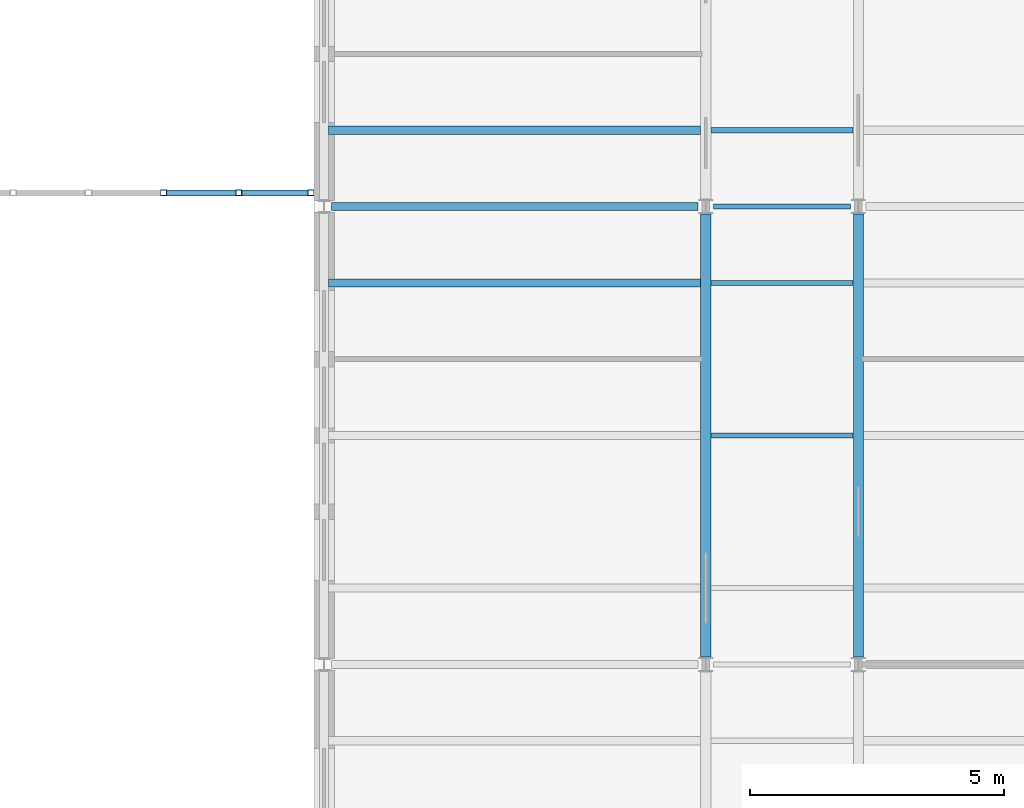
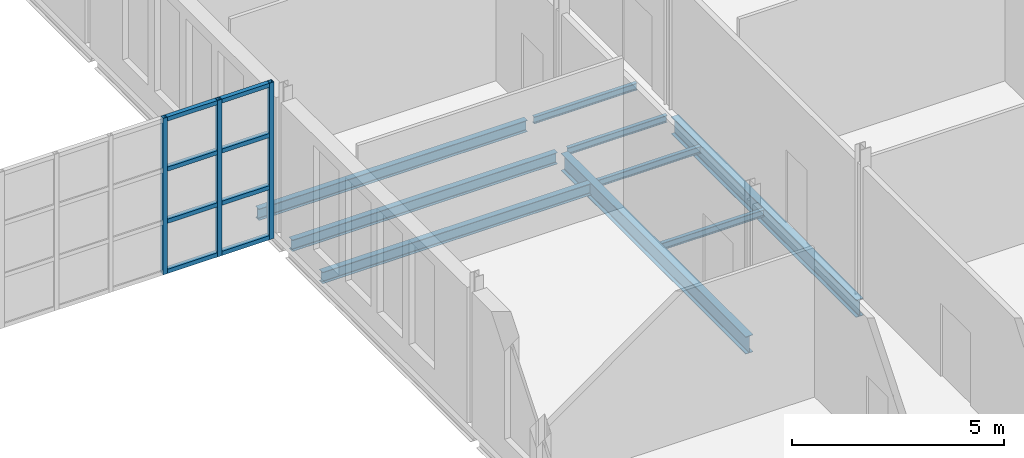
# One storey, part 39 of 131: 11 members, 9 beams, 1 element without a shape of its own.
"""IFC4 building model written with IfcOpenShell, lengths in metres."""

from ifc_helpers import new_model, si_unit, direction, frame, origin, origin_2d, place, context, subcontext, project, spatial, hollow_rectangle, i_section, extrude, material, material_profile, profile_set, type_object, element, aggregate, save


model = new_model("IFC4")

# Units and contexts
model_context = context("Model", 3, precision=1e-05, world=origin(), true_north=direction((0.0, 1.0)))
body_context = subcontext(model_context, "Body", "Model", "MODEL_VIEW")
ifc_project = project(units=[si_unit("LENGTHUNIT", "METRE"), si_unit("AREAUNIT", "SQUARE_METRE"), si_unit("VOLUMEUNIT", "CUBIC_METRE"), si_unit("PLANEANGLEUNIT", "RADIAN"), si_unit("MASSUNIT", "GRAM", prefix="KILO")], contexts=[model_context])

# Site, building, storey
site_placement = place(None, origin())
site = spatial("IfcSite", under=ifc_project, at=site_placement, CompositionType="ELEMENT")
building_placement = place(site_placement, origin())
building = spatial("IfcBuilding", under=site, at=building_placement, Name="Golden Quay Civic Hall", CompositionType="ELEMENT")
storey_placement = place(building_placement, frame((0.0, 0.0, 9.89990234375)))
storey = spatial("IfcBuildingStorey", under=building, at=storey_placement, Name="L02", CompositionType="ELEMENT", Elevation=9.89990234375)

# Curtain wall, members
ifc_material_1 = material(Name="Fire-resisting glass and steel", Category="steel")
curtain_wall_type = type_object("IfcCurtainWallType", Name="Fire-resisting glazed curtain wall EI 120", PredefinedType="NOTDEFINED", material=ifc_material_1)
curtain_wall_placement = place(storey_placement, origin())
curtain_wall = element("IfcCurtainWall", 1, at=curtain_wall_placement, inside=storey, type_object=curtain_wall_type, Name="CW3 curtain wall", PredefinedType="NOTDEFINED")
ifc_material_2 = material(Name="Steel S355", Category="steel")
ifc_material_profile_1 = material_profile(ifc_material_2, hollow_rectangle(XDim=0.1201171875, YDim=0.1201171875, WallThickness=0.008056640625, at=origin_2d()), Name="SHS 120x120x8")
ifc_profile_set_1 = profile_set([ifc_material_profile_1], Name="Steel S355")
member_type_1 = type_object("IfcMemberType", Name="Fire-resisting steel mullion SHS 120x120x8", PredefinedType="MULLION", material=ifc_profile_set_1)
member_1_placement = place(storey_placement, frame((95.844482421875, 36.27001953125, -0.199951171875), z_axis=(0.0, 0.0, 1.0), x_axis=(0.0, 1.0, 0.0)))
member_1 = element("IfcMember", 2, at=member_1_placement, type_object=member_type_1, Name="CW3 mullion 17", PredefinedType="MULLION", context=body_context, shape_type="SweptSolid", body=[
    extrude(hollow_rectangle(XDim=0.1201171875, YDim=0.1201171875, WallThickness=0.008056640625, at=origin_2d()), origin(), (0.0, 0.0, 1.0), 4.5),
])
member_2_placement = place(storey_placement, frame((97.322265625, 36.27001953125, -0.199951171875), z_axis=(0.0, 0.0, 1.0), x_axis=(0.0, 1.0, 0.0)))
member_2 = element("IfcMember", 3, at=member_2_placement, type_object=member_type_1, Name="CW3 mullion 18", PredefinedType="MULLION", context=body_context, shape_type="SweptSolid", body=[
    extrude(hollow_rectangle(XDim=0.1201171875, YDim=0.1201171875, WallThickness=0.008056640625, at=origin_2d()), origin(), (0.0, 0.0, 1.0), 4.5),
])
member_3_placement = place(storey_placement, frame((98.739990234375, 36.27001953125, -0.199951171875), z_axis=(0.0, 0.0, 1.0), x_axis=(0.0, 1.0, 0.0)))
member_3 = element("IfcMember", 4, at=member_3_placement, type_object=member_type_1, Name="CW3 mullion 19", PredefinedType="MULLION", context=body_context, shape_type="SweptSolid", body=[
    extrude(hollow_rectangle(XDim=0.1201171875, YDim=0.1201171875, WallThickness=0.008056640625, at=origin_2d()), origin(), (0.0, 0.0, 1.0), 4.5),
])
ifc_material_3 = material(Name="Steel S355", Category="steel")
ifc_material_profile_2 = material_profile(ifc_material_3, hollow_rectangle(XDim=0.1201171875, YDim=0.1201171875, WallThickness=0.008056640625, at=origin_2d()), Name="SHS 120x120x8")
ifc_profile_set_2 = profile_set([ifc_material_profile_2], Name="Steel S355")
member_type_2 = type_object("IfcMemberType", Name="Fire-resisting steel transom SHS 120x120x8", PredefinedType="USERDEFINED", material=ifc_profile_set_2)
member_4_placement = place(storey_placement, frame((95.904541015625, 36.27001953125, -0.139892578125), z_axis=(1.0, 0.0, 0.0), x_axis=(0.0, 1.0, 0.0)))
member_4 = element("IfcMember", 5, at=member_4_placement, type_object=member_type_2, Name="CW3 transom 17.1", ObjectType="TRANSOM", PredefinedType="USERDEFINED", context=body_context, shape_type="SweptSolid", body=[
    extrude(hollow_rectangle(XDim=0.1201171875, YDim=0.1201171875, WallThickness=0.008056640625, at=origin_2d()), origin(), (0.0, 0.0, 1.0), 1.357666015625),
])
member_5_placement = place(storey_placement, frame((95.904541015625, 36.27001953125, 1.300048828125), z_axis=(1.0, 0.0, 0.0), x_axis=(0.0, 1.0, 0.0)))
member_5 = element("IfcMember", 6, at=member_5_placement, type_object=member_type_2, Name="CW3 transom 17.2", ObjectType="TRANSOM", PredefinedType="USERDEFINED", context=body_context, shape_type="SweptSolid", body=[
    extrude(hollow_rectangle(XDim=0.1201171875, YDim=0.1201171875, WallThickness=0.008056640625, at=origin_2d()), origin(), (0.0, 0.0, 1.0), 1.357666015625),
])
member_6_placement = place(storey_placement, frame((95.904541015625, 36.27001953125, 2.800048828125), z_axis=(1.0, 0.0, 0.0), x_axis=(0.0, 1.0, 0.0)))
member_6 = element("IfcMember", 7, at=member_6_placement, type_object=member_type_2, Name="CW3 transom 17.3", ObjectType="TRANSOM", PredefinedType="USERDEFINED", context=body_context, shape_type="SweptSolid", body=[
    extrude(hollow_rectangle(XDim=0.1201171875, YDim=0.1201171875, WallThickness=0.008056640625, at=origin_2d()), origin(), (0.0, 0.0, 1.0), 1.357666015625),
])
member_7_placement = place(storey_placement, frame((95.904541015625, 36.27001953125, 4.239990234375), z_axis=(1.0, 0.0, 0.0), x_axis=(0.0, 1.0, 0.0)))
member_7 = element("IfcMember", 8, at=member_7_placement, type_object=member_type_2, Name="CW3 transom 17.4", ObjectType="TRANSOM", PredefinedType="USERDEFINED", context=body_context, shape_type="SweptSolid", body=[
    extrude(hollow_rectangle(XDim=0.1201171875, YDim=0.1201171875, WallThickness=0.008056640625, at=origin_2d()), origin(), (0.0, 0.0, 1.0), 1.357666015625),
])
member_8_placement = place(storey_placement, frame((97.38232421875, 36.27001953125, -0.139892578125), z_axis=(1.0, 0.0, 0.0), x_axis=(0.0, 1.0, 0.0)))
member_8 = element("IfcMember", 9, at=member_8_placement, type_object=member_type_2, Name="CW3 transom 18.1", ObjectType="TRANSOM", PredefinedType="USERDEFINED", context=body_context, shape_type="SweptSolid", body=[
    extrude(hollow_rectangle(XDim=0.1201171875, YDim=0.1201171875, WallThickness=0.008056640625, at=origin_2d()), origin(), (0.0, 0.0, 1.0), 1.297607421875),
])
member_9_placement = place(storey_placement, frame((97.38232421875, 36.27001953125, 1.300048828125), z_axis=(1.0, 0.0, 0.0), x_axis=(0.0, 1.0, 0.0)))
member_9 = element("IfcMember", 10, at=member_9_placement, type_object=member_type_2, Name="CW3 transom 18.2", ObjectType="TRANSOM", PredefinedType="USERDEFINED", context=body_context, shape_type="SweptSolid", body=[
    extrude(hollow_rectangle(XDim=0.1201171875, YDim=0.1201171875, WallThickness=0.008056640625, at=origin_2d()), origin(), (0.0, 0.0, 1.0), 1.297607421875),
])
member_10_placement = place(storey_placement, frame((97.38232421875, 36.27001953125, 2.800048828125), z_axis=(1.0, 0.0, 0.0), x_axis=(0.0, 1.0, 0.0)))
member_10 = element("IfcMember", 11, at=member_10_placement, type_object=member_type_2, Name="CW3 transom 18.3", ObjectType="TRANSOM", PredefinedType="USERDEFINED", context=body_context, shape_type="SweptSolid", body=[
    extrude(hollow_rectangle(XDim=0.1201171875, YDim=0.1201171875, WallThickness=0.008056640625, at=origin_2d()), origin(), (0.0, 0.0, 1.0), 1.297607421875),
])
member_11_placement = place(storey_placement, frame((97.38232421875, 36.27001953125, 4.239990234375), z_axis=(1.0, 0.0, 0.0), x_axis=(0.0, 1.0, 0.0)))
member_11 = element("IfcMember", 12, at=member_11_placement, type_object=member_type_2, Name="CW3 transom 18.4", ObjectType="TRANSOM", PredefinedType="USERDEFINED", context=body_context, shape_type="SweptSolid", body=[
    extrude(hollow_rectangle(XDim=0.1201171875, YDim=0.1201171875, WallThickness=0.008056640625, at=origin_2d()), origin(), (0.0, 0.0, 1.0), 1.297607421875),
])
aggregate(curtain_wall, [member_1, member_2, member_3, member_4, member_5, member_6, member_7, member_8, member_9, member_10, member_11])

# Beams
ifc_material_4 = material(Name="Steel S355", Category="steel")
ifc_material_profile_3 = material_profile(ifc_material_4, i_section(OverallWidth=0.10009765625, OverallDepth=0.199951171875, WebThickness=0.005615234375, FlangeThickness=0.008544921875, FilletRadius=0.011962890625, at=origin_2d()), Name="IPE 200")
ifc_profile_set_3 = profile_set([ifc_material_profile_3], Name="Steel S355")
beam_type_1 = type_object("IfcBeamType", Name="Steel beam IPE 200", PredefinedType="BEAM", material=ifc_profile_set_3)
beam_1_placement = place(storey_placement, frame((106.64990234375, 36.0, -0.2998046875), z_axis=(1.0, 0.0, 0.0), x_axis=(0.0, 1.0, 0.0)))
element("IfcBeam", 13, at=beam_1_placement, inside=storey, type_object=beam_type_1, Name="Beam S36-106.5", PredefinedType="BEAM", context=body_context, shape_type="SweptSolid", body=[
    extrude(i_section(OverallWidth=0.10009765625, OverallDepth=0.199951171875, WebThickness=0.005615234375, FlangeThickness=0.008544921875, FilletRadius=0.011962890625, at=origin_2d()), origin(), (0.0, 0.0, 1.0), 2.7001953125),
])
ifc_material_5 = material(Name="Steel S355", Category="steel")
ifc_material_profile_4 = material_profile(ifc_material_5, i_section(OverallWidth=0.159912109375, OverallDepth=0.330078125, WebThickness=0.007568359375, FlangeThickness=0.011474609375, FilletRadius=0.01806640625, at=origin_2d()), Name="IPE 330")
ifc_profile_set_4 = profile_set([ifc_material_profile_4], Name="Steel S355")
beam_type_2 = type_object("IfcBeamType", Name="Steel beam IPE 330", PredefinedType="BEAM", material=ifc_profile_set_4)
beam_2_placement = place(storey_placement, frame((99.139892578125, 36.0, -0.364990234375), z_axis=(1.0, 0.0, 0.0), x_axis=(0.0, 1.0, 0.0)))
element("IfcBeam", 14, at=beam_2_placement, inside=storey, type_object=beam_type_2, Name="Beam S36-99", PredefinedType="BEAM", context=body_context, shape_type="SweptSolid", body=[
    extrude(i_section(OverallWidth=0.159912109375, OverallDepth=0.330078125, WebThickness=0.007568359375, FlangeThickness=0.011474609375, FilletRadius=0.01806640625, at=origin_2d()), origin(), (0.0, 0.0, 1.0), 7.210205078125),
])
ifc_material_6 = material(Name="Steel S355", Category="steel")
ifc_material_profile_5 = material_profile(ifc_material_6, i_section(OverallWidth=0.199951171875, OverallDepth=0.5, WebThickness=0.01025390625, FlangeThickness=0.01611328125, FilletRadius=0.02099609375, at=origin_2d()), Name="IPE 500")
ifc_profile_set_5 = profile_set([ifc_material_profile_5], Name="Steel S355")
beam_type_3 = type_object("IfcBeamType", Name="Steel beam IPE 500", PredefinedType="BEAM", material=ifc_profile_set_5)
for number, where, z_axis, x_axis, name in (
    (15, (106.5, 27.14501953125, -0.449951171875), (0.0, 1.0, 0.0), (-1.0, 0.0, 0.0), "Beam L106.5-27"),
    (16, (109.5, 27.14501953125, -0.449951171875), (0.0, 1.0, 0.0), (-1.0, 0.0, 0.0), "Beam L109.5-27"),
):
    element("IfcBeam", number, at=place(storey_placement, frame(where, z_axis=z_axis, x_axis=x_axis)), inside=storey, type_object=beam_type_3, Name=name, PredefinedType="BEAM", context=body_context, shape_type="SweptSolid", body=[
        extrude(i_section(OverallWidth=0.199951171875, OverallDepth=0.5, WebThickness=0.01025390625, FlangeThickness=0.01611328125, FilletRadius=0.02099609375, at=origin_2d()), origin(), (0.0, 0.0, 1.0), 8.7099609375),
    ])
ifc_material_7 = material(Name="Steel S355", Category="steel")
ifc_material_profile_6 = material_profile(ifc_material_7, i_section(OverallWidth=0.10009765625, OverallDepth=0.199951171875, WebThickness=0.005615234375, FlangeThickness=0.008544921875, FilletRadius=0.011962890625, at=origin_2d()), Name="IPE 200")
ifc_profile_set_6 = profile_set([ifc_material_profile_6], Name="Steel S355")
beam_type_4 = type_object("IfcBeamType", Name="Steel joist IPE 200", PredefinedType="JOIST", material=ifc_profile_set_6)
for number, where, z_axis, x_axis, name in (
    (17, (106.60009765625, 31.5, -0.2998046875), (1.0, 0.0, 0.0), (0.0, 1.0, 0.0), "Joist J31.5-106.5"),
    (18, (106.60009765625, 34.5, -0.2998046875), (1.0, 0.0, 0.0), (0.0, 1.0, 0.0), "Joist J34.5-106.5"),
    (19, (106.60009765625, 37.5, -0.2998046875), (1.0, 0.0, 0.0), (0.0, 1.0, 0.0), "Joist J37.5-106.5"),
):
    element("IfcBeam", number, at=place(storey_placement, frame(where, z_axis=z_axis, x_axis=x_axis)), inside=storey, type_object=beam_type_4, Name=name, PredefinedType="JOIST", context=body_context, shape_type="SweptSolid", body=[
        extrude(i_section(OverallWidth=0.10009765625, OverallDepth=0.199951171875, WebThickness=0.005615234375, FlangeThickness=0.008544921875, FilletRadius=0.011962890625, at=origin_2d()), origin(), (0.0, 0.0, 1.0), 2.7998046875),
    ])
ifc_material_8 = material(Name="Steel S355", Category="steel")
ifc_material_profile_7 = material_profile(ifc_material_8, i_section(OverallWidth=0.159912109375, OverallDepth=0.330078125, WebThickness=0.007568359375, FlangeThickness=0.011474609375, FilletRadius=0.01806640625, at=origin_2d()), Name="IPE 330")
ifc_profile_set_7 = profile_set([ifc_material_profile_7], Name="Steel S355")
beam_type_5 = type_object("IfcBeamType", Name="Steel joist IPE 330", PredefinedType="JOIST", material=ifc_profile_set_7)
for number, where, z_axis, x_axis, name in (
    (20, (99.090087890625, 34.5, -0.364990234375), (1.0, 0.0, 0.0), (0.0, 1.0, 0.0), "Joist J34.5-99"),
    (21, (99.090087890625, 37.5, -0.364990234375), (1.0, 0.0, 0.0), (0.0, 1.0, 0.0), "Joist J37.5-99"),
):
    element("IfcBeam", number, at=place(storey_placement, frame(where, z_axis=z_axis, x_axis=x_axis)), inside=storey, type_object=beam_type_5, Name=name, PredefinedType="JOIST", context=body_context, shape_type="SweptSolid", body=[
        extrude(i_section(OverallWidth=0.159912109375, OverallDepth=0.330078125, WebThickness=0.007568359375, FlangeThickness=0.011474609375, FilletRadius=0.01806640625, at=origin_2d()), origin(), (0.0, 0.0, 1.0), 7.309814453125),
    ])

save(model, "model.ifc")
